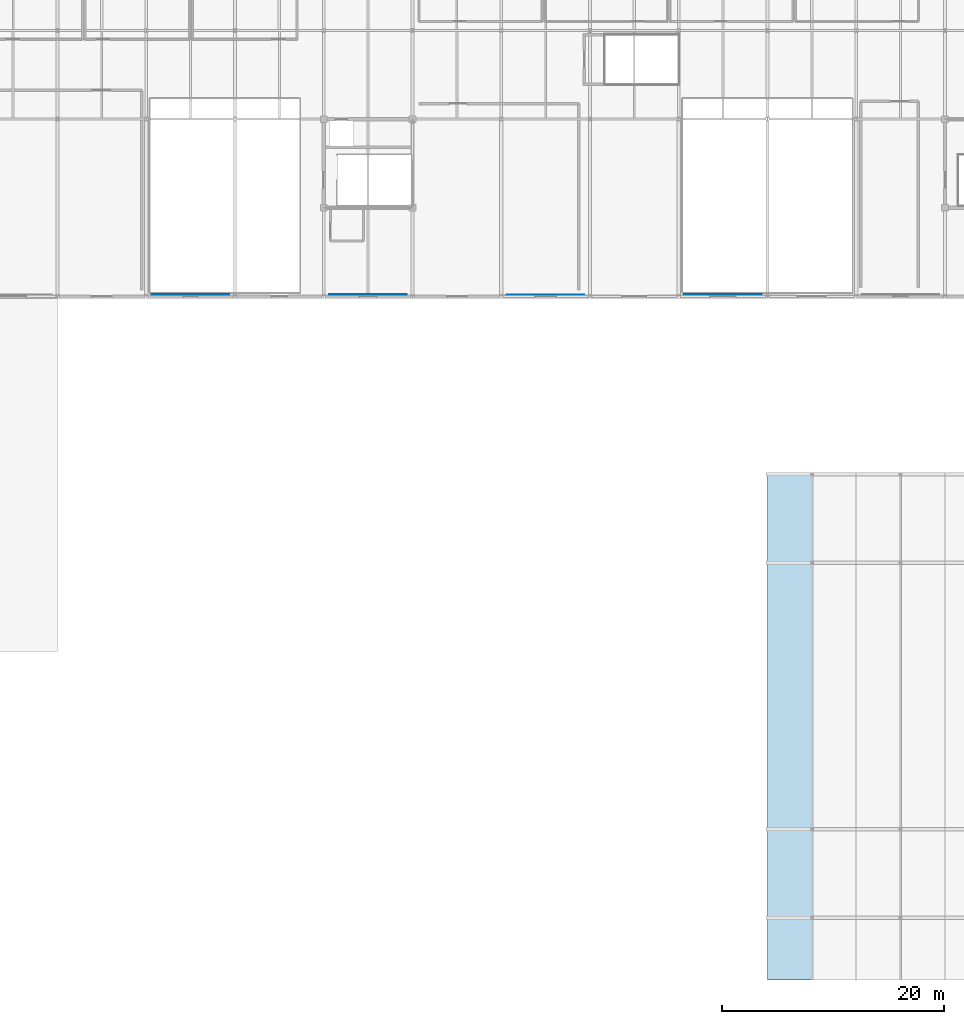
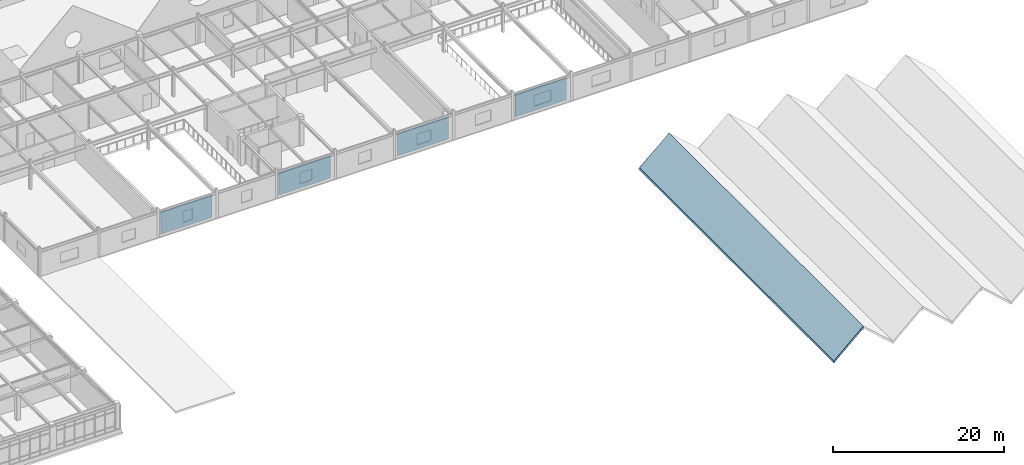
# One storey, part 42 of 88: 4 plates, 1 slab.
"""IFC4 building model written with IfcOpenShell, lengths in metres."""

from ifc_helpers import new_model, si_unit, direction, frame, origin, origin_2d, place, context, subcontext, project, spatial, polyline, rectangle, outline, extrude, material, layer, layer_set, type_object, element, save


model = new_model("IFC4")

# Units and contexts
model_context = context("Model", 3, precision=1e-05, world=origin(), true_north=direction((0.0, 1.0)))
body_context = subcontext(model_context, "Body", "Model", "MODEL_VIEW")
ifc_project = project(units=[si_unit("LENGTHUNIT", "METRE"), si_unit("AREAUNIT", "SQUARE_METRE"), si_unit("VOLUMEUNIT", "CUBIC_METRE"), si_unit("PLANEANGLEUNIT", "RADIAN"), si_unit("MASSUNIT", "GRAM", prefix="KILO")], contexts=[model_context])

# Site, building, storey
site_placement = place(None, origin())
site = spatial("IfcSite", under=ifc_project, at=site_placement, CompositionType="ELEMENT")
building_placement = place(site_placement, origin())
building = spatial("IfcBuilding", under=site, at=building_placement, Name="Zhaolan Boulevard Law Courts", CompositionType="ELEMENT")
storey_placement = place(building_placement, frame((0.0, 0.0, 16.199951171875)))
storey = spatial("IfcBuildingStorey", under=building, at=storey_placement, Name="L03", CompositionType="ELEMENT", Elevation=16.199951171875)

# Slab
ifc_material_1 = material(Name="Concrete C40", Category="concrete")
ifc_layer_1 = layer(ifc_material_1, 0.239990234375)
ifc_layer_set_1 = layer_set([ifc_layer_1])
slab_type = type_object("IfcSlabType", Name="FOLDED PLATE ROOF 240", PredefinedType="ROOF", material=ifc_layer_set_1)
slab_placement = place(storey_placement, frame((124.0, 46.0, 0.0), z_axis=(0.0, -1.0, 0.0), x_axis=(1.0, 0.0, 0.0)))
element("IfcSlab", 1, at=slab_placement, inside=storey, type_object=slab_type, Name="Ceremonial Folded-Plate Roof Facet FP-1W", PredefinedType="ROOF", context=body_context, shape_type="SweptSolid", body=[
    extrude(outline(polyline([(0.0, 0.0), (4.0, 3.60009765625), (4.0, 3.277099609375), (0.0, -0.322998046875), (0.0, 0.0)])), origin(), (0.0, 0.0, 1.0), 45.60009765625),
])

# Plates
ifc_material_2 = material(Name="Pale mist-grey standing-seam Al-Mg-Mn zinc-titanium")
ifc_layer_2 = layer(ifc_material_2, 0.0400390625)
ifc_layer_set_2 = layer_set([ifc_layer_2])
plate_type_1 = type_object("IfcPlateType", Name="STANDING SEAM PLATE 40", PredefinedType="SHEET", material=ifc_layer_set_2)
plate_1_placement = place(storey_placement, frame((104.0, 62.169921875, 0.1005859375), z_axis=(0.0, 0.0, 1.0), x_axis=(1.0, 0.0, 0.0)))
element("IfcPlate", 2, at=plate_1_placement, inside=storey, type_object=plate_type_1, Name="Standing-Seam Metal Wall Cladding SSP-L03-276", PredefinedType="SHEET", context=body_context, shape_type="SweptSolid", body=[
    extrude(rectangle(XDim=6.9599609375, YDim=0.0400390625, at=origin_2d()), origin(), (0.0, 0.0, 1.0), 3.222900390625),
])
ifc_material_3 = material(Name="Pale mist-grey standing-seam Al-Mg-Mn zinc-titanium")
ifc_layer_3 = layer(ifc_material_3, 0.050048828125)
ifc_layer_set_3 = layer_set([ifc_layer_3])
plate_type_2 = type_object("IfcPlateType", Name="STANDING SEAM PLATE 50", PredefinedType="SHEET", material=ifc_layer_set_3)
for number, where, z_axis, x_axis, name in (
    (3, (72.0, 62.175048828125, 0.1005859375), (0.0, 0.0, 1.0), (1.0, 0.0, 0.0), "Standing-Seam Metal Wall Cladding SSP-L03-272"),
    (4, (120.0, 62.175048828125, 0.1005859375), (0.0, 0.0, 1.0), (1.0, 0.0, 0.0), "Standing-Seam Metal Wall Cladding SSP-L03-278"),
):
    element("IfcPlate", number, at=place(storey_placement, frame(where, z_axis=z_axis, x_axis=x_axis)), inside=storey, type_object=plate_type_2, Name=name, PredefinedType="SHEET", context=body_context, shape_type="SweptSolid", body=[
        extrude(rectangle(XDim=6.9599609375, YDim=0.050048828125, at=origin_2d()), origin(), (0.0, 0.0, 1.0), 3.222900390625),
    ])
ifc_material_4 = material(Name="Pale mist-grey standing-seam Al-Mg-Mn zinc-titanium")
ifc_layer_4 = layer(ifc_material_4, 0.06005859375)
ifc_layer_set_4 = layer_set([ifc_layer_4])
plate_type_3 = type_object("IfcPlateType", Name="STANDING SEAM PLATE 60", PredefinedType="SHEET", material=ifc_layer_set_4)
plate_2_placement = place(storey_placement, frame((88.0, 62.179931640625, 0.1005859375), z_axis=(0.0, 0.0, 1.0), x_axis=(1.0, 0.0, 0.0)))
element("IfcPlate", 5, at=plate_2_placement, inside=storey, type_object=plate_type_3, Name="Standing-Seam Metal Wall Cladding SSP-L03-274", PredefinedType="SHEET", context=body_context, shape_type="SweptSolid", body=[
    extrude(rectangle(XDim=6.9599609375, YDim=0.06005859375, at=origin_2d()), origin(), (0.0, 0.0, 1.0), 3.222900390625),
])

save(model, "model.ifc")
